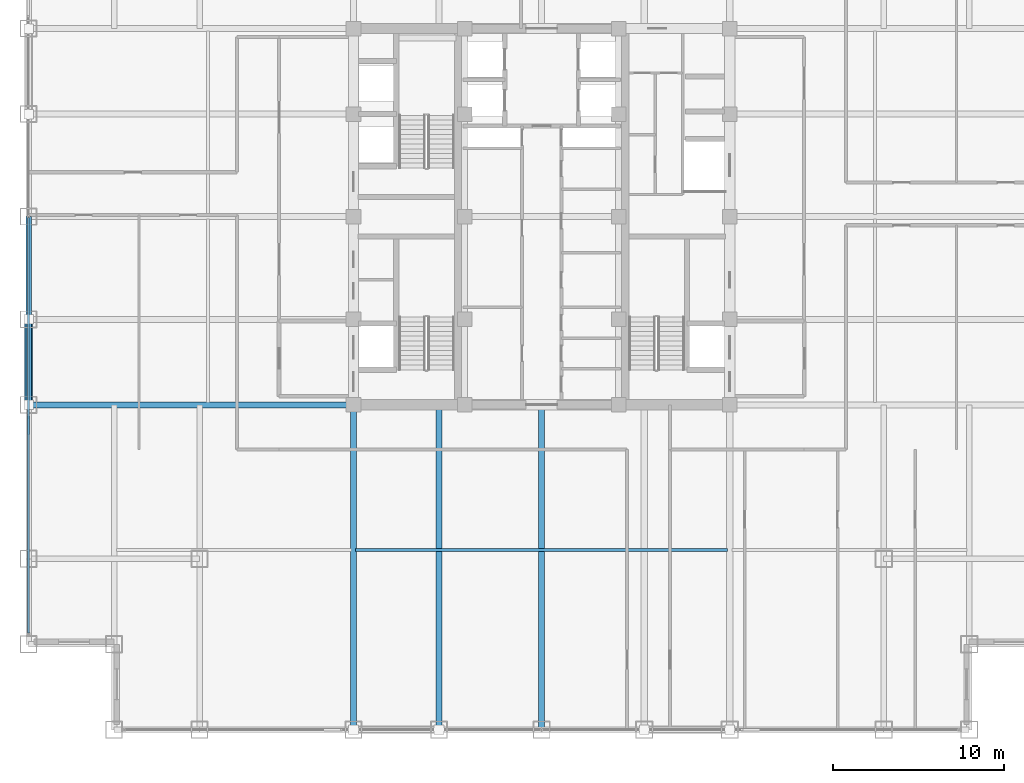
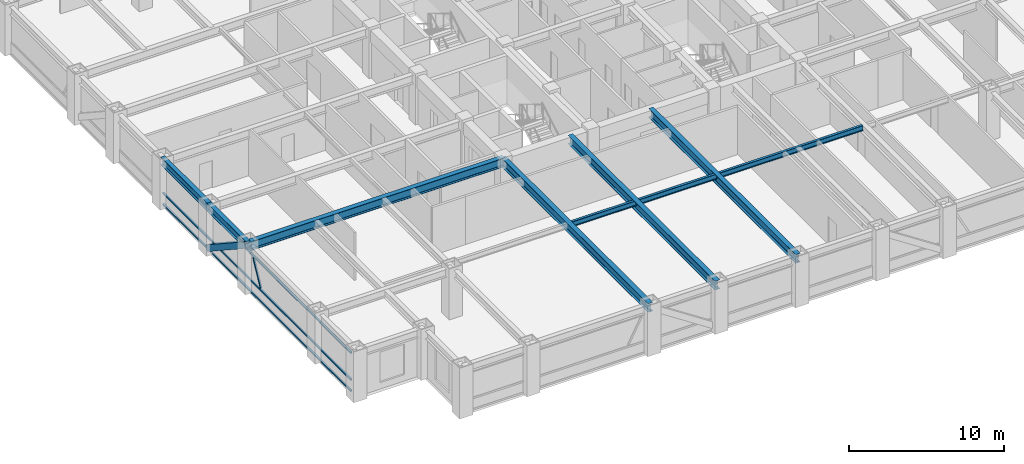
# One storey, part 5 of 25: 7 beams, 5 members, 1 element without a shape of its own.
"""IFC4 building model written with IfcOpenShell, lengths in metres."""

from ifc_helpers import new_model, si_unit, direction, frame, origin, origin_2d, place, context, subcontext, project, spatial, hollow_rectangle, i_section, extrude, source, transform, mapped, material, material_profile, profile_set, type_object, element, aggregate, save


model = new_model("IFC4")

# Units and contexts
model_context = context("Model", 3, precision=1e-05, world=origin(), true_north=direction((0.0, 1.0)))
body_context = subcontext(model_context, "Body", "Model", "MODEL_VIEW")
ifc_project = project(units=[si_unit("LENGTHUNIT", "METRE"), si_unit("AREAUNIT", "SQUARE_METRE"), si_unit("VOLUMEUNIT", "CUBIC_METRE"), si_unit("PLANEANGLEUNIT", "RADIAN"), si_unit("MASSUNIT", "GRAM", prefix="KILO")], contexts=[model_context])

# Site, building, storey
site_placement = place(None, origin())
site = spatial("IfcSite", under=ifc_project, at=site_placement, CompositionType="ELEMENT")
building_placement = place(site_placement, origin())
building = spatial("IfcBuilding", under=site, at=building_placement, Name="Khorayat Bourse Tower", CompositionType="ELEMENT")
storey_placement = place(building_placement, frame((0.0, 0.0, 227.10009765625)))
storey = spatial("IfcBuildingStorey", under=building, at=storey_placement, Name="L53", CompositionType="ELEMENT", Elevation=227.10009765625)

# Beams
ifc_material_1 = material(Name="Steel ASTM A992 Grade 50", Category="steel")
ifc_material_profile_1 = material_profile(ifc_material_1, i_section(OverallWidth=0.180908203125, OverallDepth=0.4169921875, WebThickness=0.010986328125, FlangeThickness=0.018310546875, FilletRadius=0.011962890625, at=origin_2d()), Name="W410X85")
ifc_profile_set_1 = profile_set([ifc_material_profile_1], Name="Steel ASTM A992 Grade 50")
beam_type_1 = type_object("IfcBeamType", Name="BM-JOIST-410", PredefinedType="JOIST", material=ifc_profile_set_1)
shared_shape_1 = source(origin(), body_context, "Body", "SweptSolid", [
    extrude(i_section(OverallWidth=0.180908203125, OverallDepth=0.4169921875, WebThickness=0.010986328125, FlangeThickness=0.018310546875, FilletRadius=0.011962890625, at=origin_2d()), origin(), (0.0, 0.0, 1.0), 21.740234375),
])
beam_1_placement = place(storey_placement, frame((-10.8701171875, -19.5, 3.5712890625), z_axis=(1.0, 0.0, 0.0), x_axis=(0.0, 1.0, 0.0)))
element("IfcBeam", 1, at=beam_1_placement, inside=storey, type_object=beam_type_1, Name="L53 BM-JOIST-410 BM-L53-JSTX-097", PredefinedType="JOIST", context=body_context, shape_type="MappedRepresentation", body=[
    mapped(shared_shape_1, transform((0.0, 0.0, 0.0), scale=1.0)),
])
ifc_material_profile_2 = material_profile(ifc_material_1, i_section(OverallWidth=0.324951171875, OverallDepth=0.615966796875, WebThickness=0.013916015625, FlangeThickness=0.021484375, FilletRadius=0.01611328125, at=origin_2d()), Name="W610X174")
ifc_profile_set_2 = profile_set([ifc_material_profile_2], Name="Steel ASTM A992 Grade 50")
beam_type_2 = type_object("IfcBeamType", Name="BM-SPAN-610", PredefinedType="SPANDREL", material=ifc_profile_set_2)
shared_shape_2 = source(origin(), body_context, "Body", "SweptSolid", [
    extrude(i_section(OverallWidth=0.324951171875, OverallDepth=0.615966796875, WebThickness=0.013916015625, FlangeThickness=0.021484375, FilletRadius=0.01611328125, at=origin_2d()), origin(), (0.0, 0.0, 1.0), 5.0),
])
beam_2_placement = place(storey_placement, frame((-30.0, -11.0, 3.471923828125), z_axis=(0.0, 1.0, 0.0), x_axis=(-1.0, 0.0, 0.0)))
element("IfcBeam", 2, at=beam_2_placement, inside=storey, type_object=beam_type_2, Name="L53 BM-SPAN-610 BM-L53-SPN-059", PredefinedType="SPANDREL", context=body_context, shape_type="MappedRepresentation", body=[
    mapped(shared_shape_2, transform((0.0, 0.0, 0.0), scale=1.0)),
])
shared_shape_3 = source(origin(), body_context, "Body", "SweptSolid", [
    extrude(i_section(OverallWidth=0.324951171875, OverallDepth=0.615966796875, WebThickness=0.013916015625, FlangeThickness=0.021484375, FilletRadius=0.01611328125, at=origin_2d()), origin(), (0.0, 0.0, 1.0), 6.0),
])
beam_3_placement = place(storey_placement, frame((-30.0, -6.0, 3.471923828125), z_axis=(0.0, 1.0, 0.0), x_axis=(-1.0, 0.0, 0.0)))
element("IfcBeam", 3, at=beam_3_placement, inside=storey, type_object=beam_type_2, Name="L53 BM-SPAN-610 BM-L53-SPN-058", PredefinedType="SPANDREL", context=body_context, shape_type="MappedRepresentation", body=[
    mapped(shared_shape_3, transform((0.0, 0.0, 0.0), scale=1.0)),
])
ifc_material_profile_3 = material_profile(ifc_material_1, i_section(OverallWidth=0.35498046875, OverallDepth=0.695068359375, WebThickness=0.015380859375, FlangeThickness=0.02490234375, FilletRadius=0.01806640625, at=origin_2d()), Name="W690X217")
ifc_profile_set_3 = profile_set([ifc_material_profile_3], Name="Steel ASTM A992 Grade 50")
beam_type_3 = type_object("IfcBeamType", Name="BM-GIRD-690", PredefinedType="BEAM", material=ifc_profile_set_3)
shared_shape_4 = source(origin(), body_context, "Body", "SweptSolid", [
    extrude(i_section(OverallWidth=0.35498046875, OverallDepth=0.695068359375, WebThickness=0.015380859375, FlangeThickness=0.02490234375, FilletRadius=0.01806640625, at=origin_2d()), origin(), (0.0, 0.0, 1.0), 19.0),
])
for number, where, z_axis, x_axis, name in (
    (4, (-11.0, -30.0, 3.432373046875), (0.0, 1.0, 0.0), (-1.0, 0.0, 0.0), "L53 BM-GIRD-690 BM-L53-RADY-065"),
    (5, (-6.0, -30.0, 3.432373046875), (0.0, 1.0, 0.0), (-1.0, 0.0, 0.0), "L53 BM-GIRD-690 BM-L53-RADY-067"),
    (6, (0.0, -30.0, 3.432373046875), (0.0, 1.0, 0.0), (-1.0, 0.0, 0.0), "L53 BM-GIRD-690 BM-L53-RADY-069"),
    (7, (-30.0, -11.0, 3.432373046875), (1.0, 0.0, 0.0), (0.0, 1.0, 0.0), "L53 BM-GIRD-690 BM-L53-RADX-075"),
):
    element("IfcBeam", number, at=place(storey_placement, frame(where, z_axis=z_axis, x_axis=x_axis)), inside=storey, type_object=beam_type_3, Name=name, PredefinedType="BEAM", context=body_context, shape_type="MappedRepresentation", body=[
        mapped(shared_shape_4, transform((0.0, 0.0, 0.0), scale=1.0)),
    ])

# Member
ifc_material_2 = material(Name="Steel EN 10025-4 S460M", Category="steel")
ifc_material_profile_4 = material_profile(ifc_material_2, hollow_rectangle(XDim=0.449951171875, YDim=0.449951171875, WallThickness=0.02490234375, at=origin_2d()), Name="HSS 450x450x25")
ifc_profile_set_4 = profile_set([ifc_material_profile_4], Name="Steel EN 10025-4 S460M")
member_type_1 = type_object("IfcMemberType", Name="MBR-TUBE-450", PredefinedType="BRACE", material=ifc_profile_set_4)
shared_shape_5 = source(origin(), body_context, "Body", "SweptSolid", [
    extrude(hollow_rectangle(XDim=0.449951171875, YDim=0.449951171875, WallThickness=0.02490234375, at=origin_2d()), origin(), (0.0, 0.0, 1.0), 5.979736328125),
])
member_1_placement = place(storey_placement, frame((-30.0, -11.0, 3.52978515625), z_axis=(0.0, 0.836160261256, -0.548485202623), x_axis=(-1.0, 0.0, 0.0)))
element("IfcMember", 8, at=member_1_placement, inside=storey, type_object=member_type_1, Name="L53 Perimeter Tube Brace 05", PredefinedType="BRACE", context=body_context, shape_type="MappedRepresentation", body=[
    mapped(shared_shape_5, transform((0.0, 0.0, 0.0), scale=1.0)),
])

# Curtain wall, members
ifc_material_3 = material(Name="Aluminium EN AW-6063 T6", Category="aluminium")
curtain_wall_type = type_object("IfcCurtainWallType", Name="CW-SYS-03", PredefinedType="NOTDEFINED", material=ifc_material_3)
curtain_wall_placement = place(storey_placement, origin())
curtain_wall = element("IfcCurtainWall", 9, at=curtain_wall_placement, inside=storey, type_object=curtain_wall_type, Name="L53 Curtain Wall CW-L53-W1", PredefinedType="NOTDEFINED")
ifc_material_profile_5 = material_profile(ifc_material_3, hollow_rectangle(XDim=0.1201171875, YDim=0.1201171875, WallThickness=0.0048828125, at=origin_2d()), Name="ALU 120x120x5")
ifc_profile_set_5 = profile_set([ifc_material_profile_5], Name="Aluminium EN AW-6063 T6")
member_type_2 = type_object("IfcMemberType", Name="CWM-DIAG-120", PredefinedType="MULLION", material=ifc_profile_set_5)
shared_shape_6 = source(origin(), body_context, "Body", "SweptSolid", [
    extrude(hollow_rectangle(XDim=0.1201171875, YDim=0.1201171875, WallThickness=0.0048828125, at=origin_2d()), origin(), (0.0, 0.0, 1.0), 2.079345703125),
])
member_2_placement = place(storey_placement, frame((-30.0, -12.67919921875, 1.08984375), z_axis=(0.0, 0.465760949701, 0.884910581773), x_axis=(-1.0, 0.0, 0.0)))
member_2 = element("IfcMember", 10, at=member_2_placement, type_object=member_type_2, Name="CW-L53-W1 Faceted Diagonal Mullion 1", PredefinedType="MULLION", context=body_context, shape_type="MappedRepresentation", body=[
    mapped(shared_shape_6, transform((0.0, 0.0, 0.0), scale=1.0)),
])
ifc_material_profile_6 = material_profile(ifc_material_3, hollow_rectangle(XDim=0.1201171875, YDim=0.1201171875, WallThickness=0.0048828125, at=origin_2d()), Name="ALU 120x120x5")
ifc_profile_set_6 = profile_set([ifc_material_profile_6], Name="Aluminium EN AW-6063 T6")
member_type_3 = type_object("IfcMemberType", Name="CWT-HORZ-120", PredefinedType="USERDEFINED", material=ifc_profile_set_6)
shared_shape_7 = source(origin(), body_context, "Body", "SweptSolid", [
    extrude(hollow_rectangle(XDim=0.1201171875, YDim=0.1201171875, WallThickness=0.0048828125, at=origin_2d()), origin(), (0.0, 0.0, 1.0), 24.27001953125),
])
member_3_placement = place(storey_placement, frame((-30.0, -24.330078125, 0.059814453125), z_axis=(0.0, 1.0, 0.0), x_axis=(-1.0, 0.0, 0.0)))
member_3 = element("IfcMember", 11, at=member_3_placement, type_object=member_type_3, Name="CW-L53-W1 Horizontal Transom 1-1", ObjectType="TRANSOM", PredefinedType="USERDEFINED", context=body_context, shape_type="MappedRepresentation", body=[
    mapped(shared_shape_7, transform((0.0, 0.0, 0.0), scale=1.0)),
])
member_4_placement = place(storey_placement, frame((-30.0, -24.330078125, 0.949951171875), z_axis=(0.0, 1.0, 0.0), x_axis=(-1.0, 0.0, 0.0)))
member_4 = element("IfcMember", 12, at=member_4_placement, type_object=member_type_3, Name="CW-L53-W1 Horizontal Transom 1-2", ObjectType="TRANSOM", PredefinedType="USERDEFINED", context=body_context, shape_type="MappedRepresentation", body=[
    mapped(shared_shape_7, transform((0.0, 0.0, 0.0), scale=1.0)),
])
member_5_placement = place(storey_placement, frame((-30.0, -24.330078125, 3.06982421875), z_axis=(0.0, 1.0, 0.0), x_axis=(-1.0, 0.0, 0.0)))
member_5 = element("IfcMember", 13, at=member_5_placement, type_object=member_type_3, Name="CW-L53-W1 Horizontal Transom 1-3", ObjectType="TRANSOM", PredefinedType="USERDEFINED", context=body_context, shape_type="MappedRepresentation", body=[
    mapped(shared_shape_7, transform((0.0, 0.0, 0.0), scale=1.0)),
])
aggregate(curtain_wall, [member_3, member_4, member_5, member_2])

save(model, "model.ifc")
